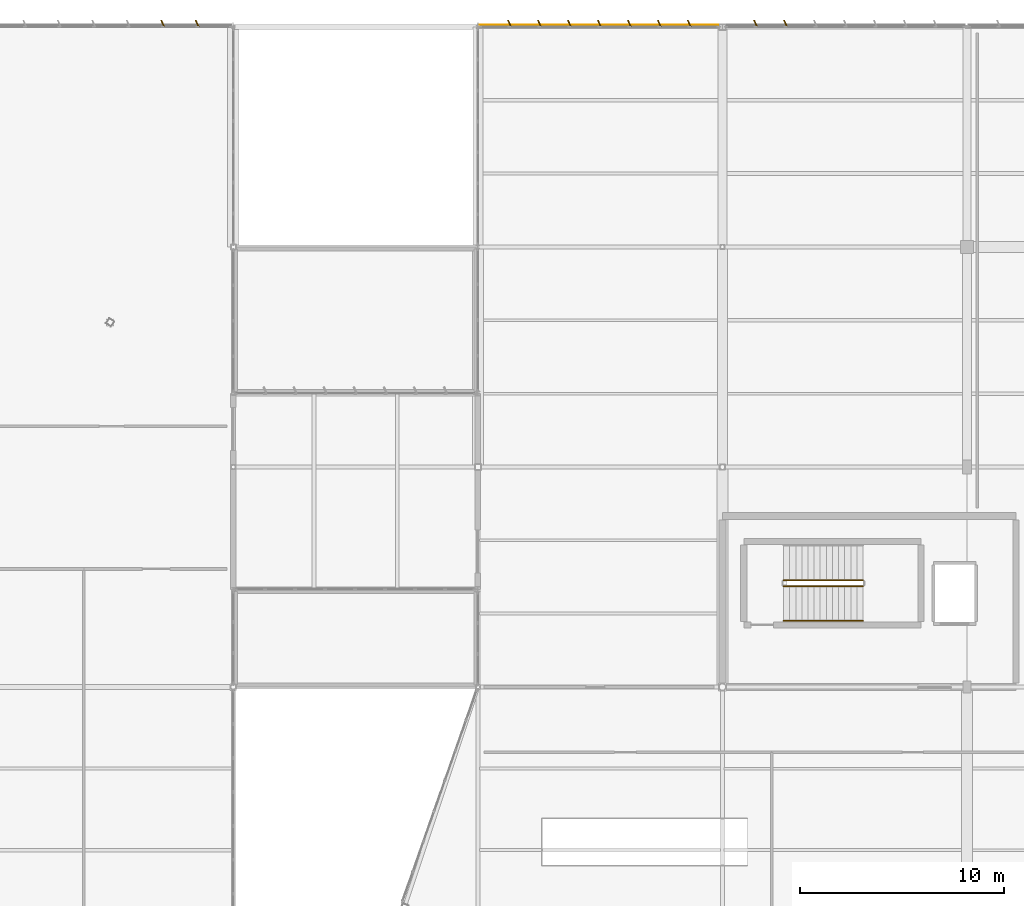
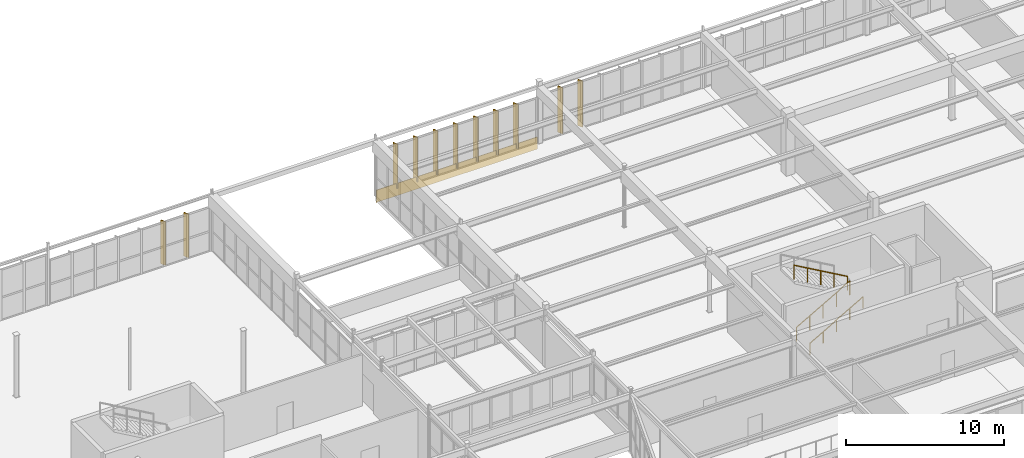
# One storey, part 224 of 226: 11 shading devices, 3 railings, 1 covering.
"""IFC4 building model written with IfcOpenShell, lengths in metres."""

from ifc_helpers import new_model, si_unit, direction, frame, origin, origin_2d, place, context, subcontext, project, spatial, rectangle, circle, extrude, material, layer, layer_set, type_object, element, save


model = new_model("IFC4")

# Units and contexts
model_context = context("Model", 3, precision=1e-05, world=origin(), true_north=direction((0.0, 1.0)))
body_context = subcontext(model_context, "Body", "Model", "MODEL_VIEW")
ifc_project = project(units=[si_unit("LENGTHUNIT", "METRE"), si_unit("AREAUNIT", "SQUARE_METRE"), si_unit("VOLUMEUNIT", "CUBIC_METRE"), si_unit("PLANEANGLEUNIT", "RADIAN"), si_unit("MASSUNIT", "GRAM", prefix="KILO")], contexts=[model_context])

# Site, building, storey
site_placement = place(None, origin())
site = spatial("IfcSite", under=ifc_project, at=site_placement, CompositionType="ELEMENT")
building_placement = place(site_placement, origin())
building = spatial("IfcBuilding", under=site, at=building_placement, Name="Tarnwether General Hospital", CompositionType="ELEMENT")
storey_placement = place(building_placement, frame((0.0, 0.0, 4.800048828125)))
storey = spatial("IfcBuildingStorey", under=building, at=storey_placement, Name="L01", CompositionType="ELEMENT", Elevation=4.800048828125)

# Covering
ifc_material_1 = material(Name="Folded zinc-titanium cladding")
ifc_layer_1 = layer(ifc_material_1, 0.0400390625)
ifc_layer_set_1 = layer_set([ifc_layer_1], Name="Folded zinc-titanium cladding")
covering_type = type_object("IfcCoveringType", Name="CV-CLD-ZNC", PredefinedType="CLADDING", material=ifc_layer_set_1)
covering_placement = place(storey_placement, frame((150.0, 126.090087890625, -0.55517578125), z_axis=(0.0, 0.0, 1.0), x_axis=(1.0, 0.0, 0.0)))
element("IfcCovering", 1, at=covering_placement, inside=storey, type_object=covering_type, Name="Deconstructivist Faceted Zinc Spandrel Blade 013", PredefinedType="CLADDING", context=body_context, shape_type="SweptSolid", body=[
    extrude(rectangle(XDim=11.800048828125, YDim=0.0400390625, at=origin_2d()), origin(), (0.0, 0.0, 1.0), 0.949951171875),
])

# Railings
ifc_material_2 = material(Name="Anodised aluminium", Category="aluminium")
railing_type_1 = type_object("IfcRailingType", Name="RL-GRD-INT", PredefinedType="GUARDRAIL", material=ifc_material_2)
railing_1_placement = place(storey_placement, frame((159.0, 98.550048828125, 0.17138671875)))
element("IfcRailing", 2, at=railing_1_placement, inside=storey, type_object=railing_type_1, Name="L01 ST-06 stair guard 1", PredefinedType="GUARDRAIL", context=body_context, shape_type="SweptSolid", body=[
    extrude(circle(Radius=0.02392578125, at=origin_2d()), frame((0.0, 0.0, 1.076171875), z_axis=(0.868243142124, 0.0, 0.496138938357), x_axis=(0.0, 1.0, 0.0)), (0.0, 0.0, 1.0), 4.49169921875),
    extrude(circle(Radius=0.02099609375, at=origin_2d()), origin(), (0.0, 0.0, 1.0), 1.052001953125),
    extrude(circle(Radius=0.02099609375, at=origin_2d()), frame((0.97509765625, 0.0, 0.55712890625)), (0.0, 0.0, 1.0), 1.052001953125),
    extrude(circle(Radius=0.02099609375, at=origin_2d()), frame((1.949951171875, 0.0, 1.1142578125)), (0.0, 0.0, 1.0), 1.052001953125),
    extrude(circle(Radius=0.02099609375, at=origin_2d()), frame((2.9248046875, 0.0, 1.67138671875)), (0.0, 0.0, 1.0), 1.052001953125),
    extrude(circle(Radius=0.02099609375, at=origin_2d()), frame((3.89990234375, 0.0, 2.228515625)), (0.0, 0.0, 1.0), 1.052001953125),
])
railing_2_placement = place(storey_placement, frame((162.89990234375, 98.85009765625, 2.5712890625)))
element("IfcRailing", 3, at=railing_2_placement, inside=storey, type_object=railing_type_1, Name="L01 ST-06 stair guard 3", PredefinedType="GUARDRAIL", context=body_context, shape_type="SweptSolid", body=[
    extrude(circle(Radius=0.02392578125, at=origin_2d()), frame((0.0, 0.0, 1.076171875), z_axis=(-0.868219727965, 0.0, 0.496179910892), x_axis=(0.0, -1.0, 0.0)), (0.0, 0.0, 1.0), 4.491943359375),
    extrude(circle(Radius=0.02099609375, at=origin_2d()), origin(), (0.0, 0.0, 1.0), 1.052001953125),
    extrude(circle(Radius=0.02099609375, at=origin_2d()), frame((-0.97509765625, 0.0, 0.55712890625)), (0.0, 0.0, 1.0), 1.052001953125),
    extrude(circle(Radius=0.02099609375, at=origin_2d()), frame((-1.949951171875, 0.0, 1.1142578125)), (0.0, 0.0, 1.0), 1.052001953125),
    extrude(circle(Radius=0.02099609375, at=origin_2d()), frame((-2.9248046875, 0.0, 1.671630859375)), (0.0, 0.0, 1.0), 1.052001953125),
    extrude(circle(Radius=0.02099609375, at=origin_2d()), frame((-3.89990234375, 0.0, 2.228759765625)), (0.0, 0.0, 1.0), 1.052001953125),
])
ifc_material_3 = material(Name="Anodised aluminium", Category="aluminium")
railing_type_2 = type_object("IfcRailingType", Name="RL-HND-INT", PredefinedType="HANDRAIL", material=ifc_material_3)
railing_3_placement = place(storey_placement, frame((159.0, 96.85009765625, 0.17138671875)))
element("IfcRailing", 4, at=railing_3_placement, inside=storey, type_object=railing_type_2, Name="L01 ST-06 stair handrail 1", PredefinedType="HANDRAIL", context=body_context, shape_type="SweptSolid", body=[
    extrude(circle(Radius=0.02392578125, at=origin_2d()), frame((0.0, 0.0, 0.8759765625), z_axis=(0.868243142124, 0.0, 0.496138938357), x_axis=(0.0, 1.0, 0.0)), (0.0, 0.0, 1.0), 4.49169921875),
    extrude(circle(Radius=0.02099609375, at=origin_2d()), origin(), (0.0, 0.0, 1.0), 0.851806640625),
    extrude(circle(Radius=0.02099609375, at=origin_2d()), frame((0.97509765625, 0.0, 0.55712890625)), (0.0, 0.0, 1.0), 0.851806640625),
    extrude(circle(Radius=0.02099609375, at=origin_2d()), frame((1.949951171875, 0.0, 1.1142578125)), (0.0, 0.0, 1.0), 0.851806640625),
    extrude(circle(Radius=0.02099609375, at=origin_2d()), frame((2.9248046875, 0.0, 1.67138671875)), (0.0, 0.0, 1.0), 0.851806640625),
    extrude(circle(Radius=0.02099609375, at=origin_2d()), frame((3.89990234375, 0.0, 2.228515625)), (0.0, 0.0, 1.0), 0.851806640625),
])

# Shading devices
ifc_material_4 = material(Name="Champagne-bronze anodised aluminium", Category="aluminium")
ifc_layer_2 = layer(ifc_material_4, 0.06005859375)
ifc_layer_set_2 = layer_set([ifc_layer_2], Name="Champagne-bronze anodised aluminium")
shading_device_type = type_object("IfcShadingDeviceType", Name="SH-FIN-BRZ", PredefinedType="USERDEFINED", material=ifc_layer_set_2)
for number, where, z_axis, x_axis, name in (
    (5, (128.531982421875, 126.159912109375, 0.050048828125), (0.0, 0.0, 1.0), (0.906307787037, 0.422618261741, 0.0), "Champagne-Bronze Brise-Soleil Fin 0228"),
    (6, (130.22412109375, 126.159912109375, 0.050048828125), (0.0, 0.0, 1.0), (0.906307787037, 0.422618261741, 0.0), "Champagne-Bronze Brise-Soleil Fin 0229"),
):
    element("IfcShadingDevice", number, at=place(storey_placement, frame(where, z_axis=z_axis, x_axis=x_axis)), inside=storey, type_object=shading_device_type, Name=name, ObjectType="SOLAR FIN", PredefinedType="USERDEFINED", context=body_context, shape_type="SweptSolid", body=[
        extrude(rectangle(XDim=0.06005859375, YDim=0.360107421875, at=origin_2d()), origin(), (0.0, 0.0, 1.0), 3.3798828125),
    ])
for number, where, z_axis, x_axis, name in (
    (7, (145.553955078125, 126.159912109375, 0.0498046875), (0.0, 0.0, 1.0), (0.906307787037, 0.422618261741, 0.0), "Champagne-Bronze Brise-Soleil Fin 0314"),
    (8, (147.02392578125, 126.159912109375, 0.0498046875), (0.0, 0.0, 1.0), (0.906307787037, 0.422618261741, 0.0), "Champagne-Bronze Brise-Soleil Fin 0315"),
    (9, (148.492919921875, 126.159912109375, 0.0498046875), (0.0, 0.0, 1.0), (0.906307787037, 0.422618261741, 0.0), "Champagne-Bronze Brise-Soleil Fin 0316"),
    (10, (149.962890625, 126.159912109375, 0.0498046875), (0.0, 0.0, 1.0), (0.906307787037, 0.422618261741, 0.0), "Champagne-Bronze Brise-Soleil Fin 0317"),
    (11, (151.43310546875, 126.159912109375, 0.0498046875), (0.0, 0.0, 1.0), (0.906307787037, 0.422618261741, 0.0), "Champagne-Bronze Brise-Soleil Fin 0318"),
    (12, (152.903076171875, 126.159912109375, 0.0498046875), (0.0, 0.0, 1.0), (0.906307787037, 0.422618261741, 0.0), "Champagne-Bronze Brise-Soleil Fin 0319"),
    (13, (154.3720703125, 126.159912109375, 0.0498046875), (0.0, 0.0, 1.0), (0.906307787037, 0.422618261741, 0.0), "Champagne-Bronze Brise-Soleil Fin 0320"),
):
    element("IfcShadingDevice", number, at=place(storey_placement, frame(where, z_axis=z_axis, x_axis=x_axis)), inside=storey, type_object=shading_device_type, Name=name, ObjectType="SOLAR FIN", PredefinedType="USERDEFINED", context=body_context, shape_type="SweptSolid", body=[
        extrude(rectangle(XDim=0.06005859375, YDim=0.360107421875, at=origin_2d()), origin(), (0.0, 0.0, 1.0), 3.429931640625),
    ])
for number, where, z_axis, x_axis, name in (
    (14, (157.6279296875, 126.159912109375, 0.0498046875), (0.0, 0.0, 1.0), (0.906307787037, 0.422618261741, 0.0), "Champagne-Bronze Brise-Soleil Fin 0321"),
    (15, (159.096923828125, 126.159912109375, 0.0498046875), (0.0, 0.0, 1.0), (0.906307787037, 0.422618261741, 0.0), "Champagne-Bronze Brise-Soleil Fin 0322"),
):
    element("IfcShadingDevice", number, at=place(storey_placement, frame(where, z_axis=z_axis, x_axis=x_axis)), inside=storey, type_object=shading_device_type, Name=name, ObjectType="SOLAR FIN", PredefinedType="USERDEFINED", context=body_context, shape_type="SweptSolid", body=[
        extrude(rectangle(XDim=0.06005859375, YDim=0.360107421875, at=origin_2d()), origin(), (0.0, 0.0, 1.0), 3.580078125),
    ])

save(model, "model.ifc")
